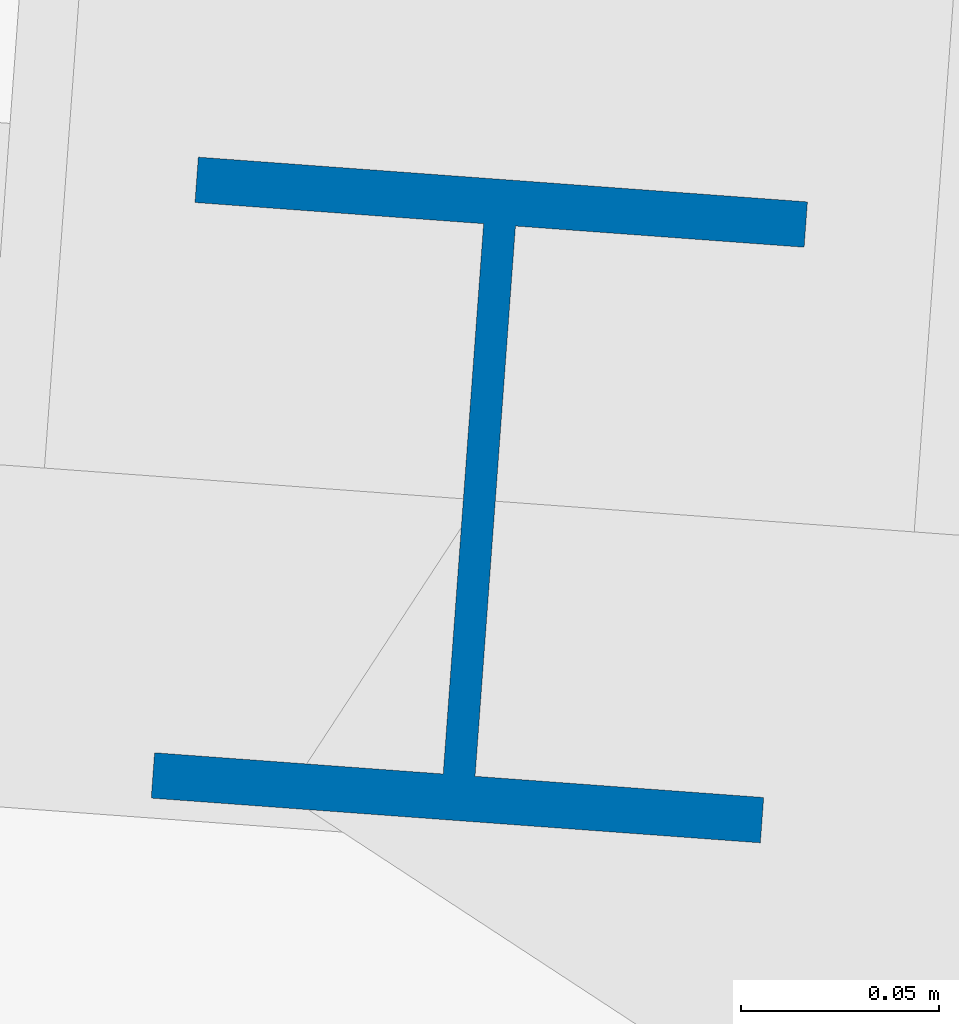
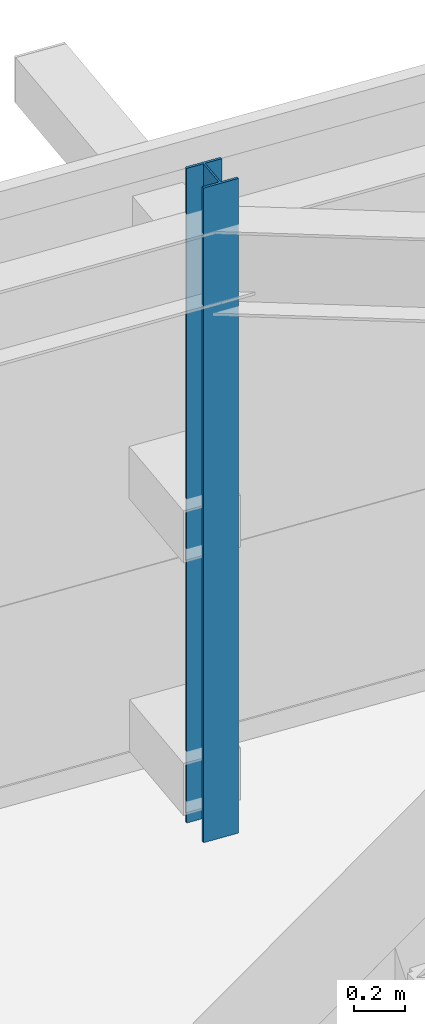
# One storey, part 8 of 42: 1 column.
"""IFC4 building model written with IfcOpenShell, lengths in metres."""

import ifcopenshell
import ifcopenshell.guid

model = None  # the IFC model being written
_history = None  # IfcOwnerHistory: only IFC2X3 demands one
_inside = {}  # id of a spatial element -> (the spatial element, [elements in it])
_under = {}  # id of a project, library or spatial element -> (it, [spatial elements below it])
_declared = {}  # id of a project -> (the project, [libraries it declares])
_typed = {}  # id of a type object -> (the type object, [elements of that type])
_made_of = {}  # id of a material, layer set ... -> (it, [elements and type objects made of it])


def new_model(schema):
    """Start an empty IFC model of exactly this schema.

    Asked for "IFC4X3", IfcOpenShell would pick the latest addendum, in which some entities
    have other attributes; the version numbers below select the first issue.
    IFC2X3 requires an IfcOwnerHistory on every rooted entity: one is made here for all.
    """
    global model, _history
    if schema == "IFC4X3":
        model = ifcopenshell.file(schema_version=(4, 3, 0, 0))
    else:
        model = ifcopenshell.file(schema=schema)
    _inside.clear()
    _under.clear()
    _declared.clear()
    _typed.clear()
    _made_of.clear()
    _history = None
    if model.schema == "IFC2X3":
        org = make("IfcOrganization", Name="unknown")
        user = make(
            "IfcPersonAndOrganization",
            ThePerson=make("IfcPerson", FamilyName="unknown"),
            TheOrganization=org,
        )
        app = make(
            "IfcApplication",
            ApplicationDeveloper=org,
            Version="unknown",
            ApplicationFullName="unknown",
            ApplicationIdentifier="unknown",
        )
        _history = make(
            "IfcOwnerHistory",
            OwningUser=user,
            OwningApplication=app,
            ChangeAction="ADDED",
            CreationDate=0,
        )
    return model


def make(cls, **values):
    """One entity of the class cls with the attributes given. An attribute that is None is left unset."""
    return model.create_entity(
        cls, **{name: value for name, value in values.items() if value is not None}
    )


def rooted(cls, **values):
    """An entity with a GlobalId (a new one), such as an element, a storey or a relation."""
    return make(cls, GlobalId=ifcopenshell.guid.new(), OwnerHistory=_history, **values)


def si_unit(unit_type, name, prefix=None):
    """IfcSIUnit, for example si_unit("LENGTHUNIT", "METRE", prefix="MILLI")."""
    return make("IfcSIUnit", UnitType=unit_type, Prefix=prefix, Name=name)


def assignment(units):
    """IfcUnitAssignment: the units of a project."""
    return None if units is None else make("IfcUnitAssignment", Units=units)


def point(xyz):
    """IfcCartesianPoint."""
    return None if xyz is None else make("IfcCartesianPoint", Coordinates=xyz)


def direction(xyz):
    """IfcDirection."""
    return None if xyz is None else make("IfcDirection", DirectionRatios=xyz)


def frame(location, z_axis=None, x_axis=None):
    """IfcAxis2Placement3D, a coordinate frame: its origin and axes. An axis left out is left unset."""
    return make(
        "IfcAxis2Placement3D",
        Location=point(location),
        Axis=direction(z_axis),
        RefDirection=direction(x_axis),
    )


def frame_2d(location, x_axis=None):
    """IfcAxis2Placement2D, a coordinate frame in the plane: its origin and x axis."""
    return make(
        "IfcAxis2Placement2D", Location=point(location), RefDirection=direction(x_axis)
    )


def origin():
    """The frame at (0, 0, 0) with its axes left unset."""
    return frame((0.0, 0.0, 0.0))


def origin_2d():
    """The frame at (0, 0) in the plane with its x axis left unset."""
    return frame_2d((0.0, 0.0))


def place(relative_to, where):
    """IfcLocalPlacement: puts the frame where relative to a parent placement (None: the world)."""
    return make(
        "IfcLocalPlacement", PlacementRelTo=relative_to, RelativePlacement=where
    )


def context(
    kind, dimensions, precision=None, world=None, true_north=None, identifier=None
):
    """IfcGeometricRepresentationContext, for example the 3D "Model" context."""
    return make(
        "IfcGeometricRepresentationContext",
        ContextIdentifier=identifier,
        ContextType=kind,
        CoordinateSpaceDimension=dimensions,
        Precision=precision,
        WorldCoordinateSystem=world,
        TrueNorth=true_north,
    )


def subcontext(parent, identifier, kind, view, scale=None):
    """IfcGeometricRepresentationSubContext, for example "Body" below "Model"."""
    return make(
        "IfcGeometricRepresentationSubContext",
        ContextIdentifier=identifier,
        ContextType=kind,
        ParentContext=parent,
        TargetScale=scale,
        TargetView=view,
    )


def project(units=None, contexts=None):
    """IfcProject with its units and contexts."""
    return rooted(
        "IfcProject",
        Name="project",
        RepresentationContexts=contexts,
        UnitsInContext=assignment(units),
    )


def spatial(cls, under=None, at=None, **own):
    """A site, building, storey or space (cls), placed at a placement, below another one or the project."""
    s = rooted(cls, ObjectPlacement=at, **own)
    if under is not None:
        _under.setdefault(under.id(), (under, []))[1].append(s)
    return s


def profile(cls, at=None, kind="AREA", **sizes):
    """A parametric profile (cls). Its sizes go by their IFC names, for example OverallWidth=200.0."""
    return make(cls, ProfileType=kind, Position=at, **sizes)


def i_section(**sizes):
    """IfcIShapeProfileDef."""
    return profile("IfcIShapeProfileDef", **sizes)


def extrude(swept, where, along, depth):
    """IfcExtrudedAreaSolid: the profile swept, set in the frame where, extruded along a direction by depth."""
    return make(
        "IfcExtrudedAreaSolid",
        SweptArea=swept,
        Position=where,
        ExtrudedDirection=direction(along),
        Depth=depth,
    )


def shape(context_of_items, identifier, shape_type, items):
    """IfcShapeRepresentation: the items that make up one representation, for example the "Body"."""
    return make(
        "IfcShapeRepresentation",
        ContextOfItems=context_of_items,
        RepresentationIdentifier=identifier,
        RepresentationType=shape_type,
        Items=items,
    )


def source(mapping_origin, context_of_items, identifier, shape_type, items):
    """IfcRepresentationMap: a shape defined once, which mapped items show again and again."""
    return make(
        "IfcRepresentationMap",
        MappingOrigin=mapping_origin,
        MappedRepresentation=shape(context_of_items, identifier, shape_type, items),
    )


def transform(
    local_origin,
    x_axis=None,
    y_axis=None,
    z_axis=None,
    scale=None,
    scale2=None,
    scale3=None,
    uniform=True,
):
    """IfcCartesianTransformationOperator3D, or its non-uniform kind. x_axis, y_axis, z_axis: its Axis1, 2, 3."""
    if uniform:
        return make(
            "IfcCartesianTransformationOperator3D",
            Axis1=direction(x_axis),
            Axis2=direction(y_axis),
            LocalOrigin=point(local_origin),
            Scale=scale,
            Axis3=direction(z_axis),
        )
    return make(
        "IfcCartesianTransformationOperator3DnonUniform",
        Axis1=direction(x_axis),
        Axis2=direction(y_axis),
        LocalOrigin=point(local_origin),
        Scale=scale,
        Axis3=direction(z_axis),
        Scale2=scale2,
        Scale3=scale3,
    )


def mapped(mapping_source, mapping_target):
    """IfcMappedItem: shows the shape of a source again, moved by a transform."""
    return make(
        "IfcMappedItem", MappingSource=mapping_source, MappingTarget=mapping_target
    )


def material(Name=None, Category=None):
    """IfcMaterial."""
    return make("IfcMaterial", Name=Name, Category=Category)


def material_profile(
    of_material, cross_section, Name=None, Category=None, Priority=None
):
    """IfcMaterialProfile: a cross section and its material."""
    return make(
        "IfcMaterialProfile",
        Name=Name,
        Material=of_material,
        Profile=cross_section,
        Priority=Priority,
        Category=Category,
    )


def profile_set(profiles, Name=None, composite=None):
    """IfcMaterialProfileSet."""
    return make(
        "IfcMaterialProfileSet",
        Name=Name,
        MaterialProfiles=profiles,
        CompositeProfile=composite,
    )


def made_of(thing, what):
    """Note that an element or type object is made of a material, layer set ...; save() writes the relation."""
    if what is not None:
        _made_of.setdefault(what.id(), (what, []))[1].append(thing)
    return thing


def type_object(cls, material=None, **own):
    """A type object (cls), such as IfcWallType, which elements share."""
    return made_of(rooted(cls, **own), material)


def element(
    cls,
    number,
    at=None,
    inside=None,
    cuts=None,
    type_object=None,
    material=None,
    context=None,
    identifier="Body",
    shape_type=None,
    held_by="IfcProductDefinitionShape",
    body=None,
    shapes=None,
    **own,
):
    """One element of the class cls, such as IfcWall. Its Tag is "e" and its number.

    at: its placement. inside: the storey or other place that contains it. cuts: it is an
    opening in that element (IfcRelVoidsElement). A single representation is given by context,
    identifier, shape_type and body (its items); several are given by shapes. held_by: the class
    of the entity that holds the representations. save() writes the other relations.
    """
    e = rooted(cls, Tag="e%d" % number, ObjectPlacement=at, **own)
    if body is not None:
        shapes = [shape(context, identifier, shape_type, body)]
    if shapes is not None:
        e.Representation = make(held_by, Representations=shapes)
    if inside is not None:
        _inside.setdefault(inside.id(), (inside, []))[1].append(e)
    if cuts is not None:
        rooted(
            "IfcRelVoidsElement", RelatingBuildingElement=cuts, RelatedOpeningElement=e
        )
    if type_object is not None:
        _typed.setdefault(type_object.id(), (type_object, []))[1].append(e)
    return made_of(e, material)


def aggregate(whole, parts):
    """IfcRelAggregates: a whole, such as a stair, and the parts it consists of."""
    return rooted("IfcRelAggregates", RelatingObject=whole, RelatedObjects=parts)


def save(model, path):
    """Write the relations noted so far, then the file.

    IfcRelAggregates (storeys below a building ...), IfcRelContainedInSpatialStructure (elements
    in a storey), IfcRelDefinesByType, IfcRelAssociatesMaterial and IfcRelDeclares: one each for
    every whole, place, type object, material and project.
    """
    for whole, parts in _under.values():
        aggregate(whole, parts)
    for where, things in _inside.values():
        rooted(
            "IfcRelContainedInSpatialStructure",
            RelatedElements=things,
            RelatingStructure=where,
        )
    for kind, things in _typed.values():
        rooted("IfcRelDefinesByType", RelatedObjects=things, RelatingType=kind)
    for what, things in _made_of.values():
        rooted("IfcRelAssociatesMaterial", RelatedObjects=things, RelatingMaterial=what)
    for by, libraries in _declared.values():
        rooted("IfcRelDeclares", RelatingContext=by, RelatedDefinitions=libraries)
    model.write(path)


model = new_model("IFC4")

# Units and contexts
model_context = context("Model", 3, precision=1e-05, world=origin(), true_north=direction((0.0, 1.0)))
body_context = subcontext(model_context, "Body", "Model", "MODEL_VIEW")
ifc_project = project(units=[si_unit("LENGTHUNIT", "METRE"), si_unit("AREAUNIT", "SQUARE_METRE"), si_unit("VOLUMEUNIT", "CUBIC_METRE"), si_unit("PLANEANGLEUNIT", "RADIAN"), si_unit("MASSUNIT", "GRAM", prefix="KILO")], contexts=[model_context])

# Site, building, storey
site_placement = place(None, origin())
site = spatial("IfcSite", under=ifc_project, at=site_placement, CompositionType="ELEMENT")
building_placement = place(site_placement, origin())
building = spatial("IfcBuilding", under=site, at=building_placement, Name="Taldren Reach Tower", CompositionType="ELEMENT")
storey_placement = place(building_placement, frame((0.0, 0.0, 224.0)))
storey = spatial("IfcBuildingStorey", under=building, at=storey_placement, Name="L68", CompositionType="ELEMENT", Elevation=224.0)

# Column
ifc_material = material(Name="Steel Gr 350 (350PLUS)", Category="steel")
ifc_material_profile = material_profile(ifc_material, i_section(OverallWidth=0.154052734375, OverallDepth=0.162109375, WebThickness=0.008056640625, FlangeThickness=0.011474609375, at=origin_2d()), Name="150UC37.2")
ifc_profile_set = profile_set([ifc_material_profile], Name="Steel Gr 350 (350PLUS)")
column_type = type_object("IfcColumnType", Name="COL-UC150", PredefinedType="COLUMN", material=ifc_profile_set)
shared_shape = source(origin(), body_context, "Body", "SweptSolid", [
    extrude(i_section(OverallWidth=0.154052734375, OverallDepth=0.162109375, WebThickness=0.008056640625, FlangeThickness=0.011474609375, at=origin_2d()), origin(), (0.0, 0.0, 1.0), 3.14990234375),
])
column_placement = place(storey_placement, frame((47.199462890625, 34.487548828125, 0.0), z_axis=(0.0, 0.0, 1.0), x_axis=(0.997314477224, -0.073238197128, 0.0)))
element("IfcColumn", 1, at=column_placement, inside=storey, type_object=column_type, Name="Block B5 perimeter column N5 L68", PredefinedType="COLUMN", context=body_context, shape_type="MappedRepresentation", body=[
    mapped(shared_shape, transform((0.0, 0.0, 0.0), scale=1.0)),
])

save(model, "model.ifc")
